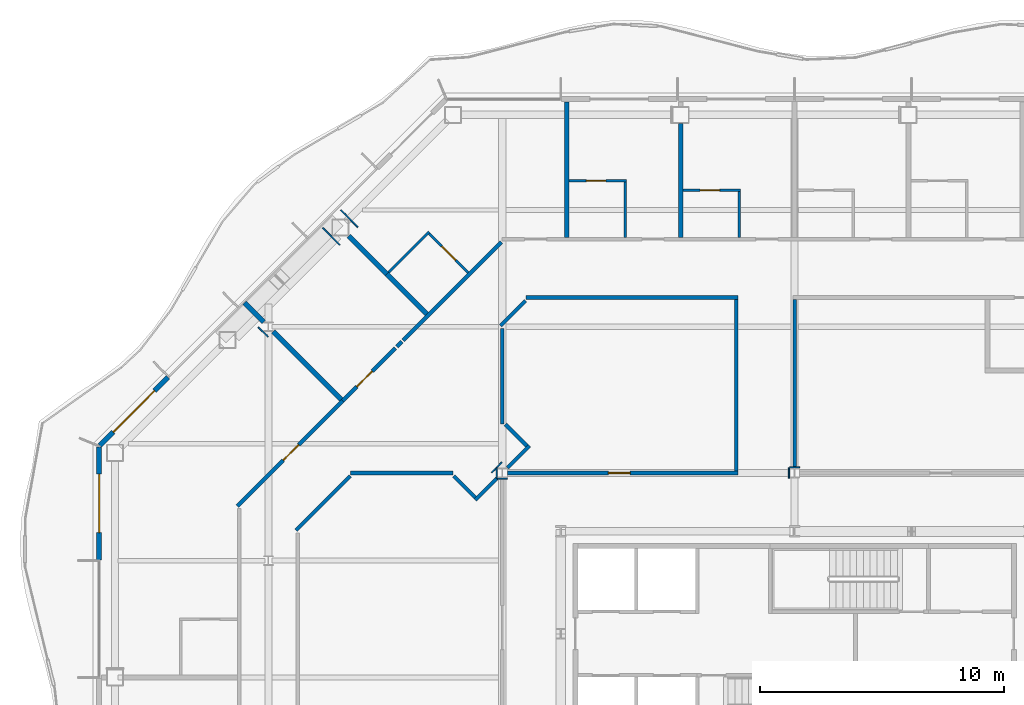
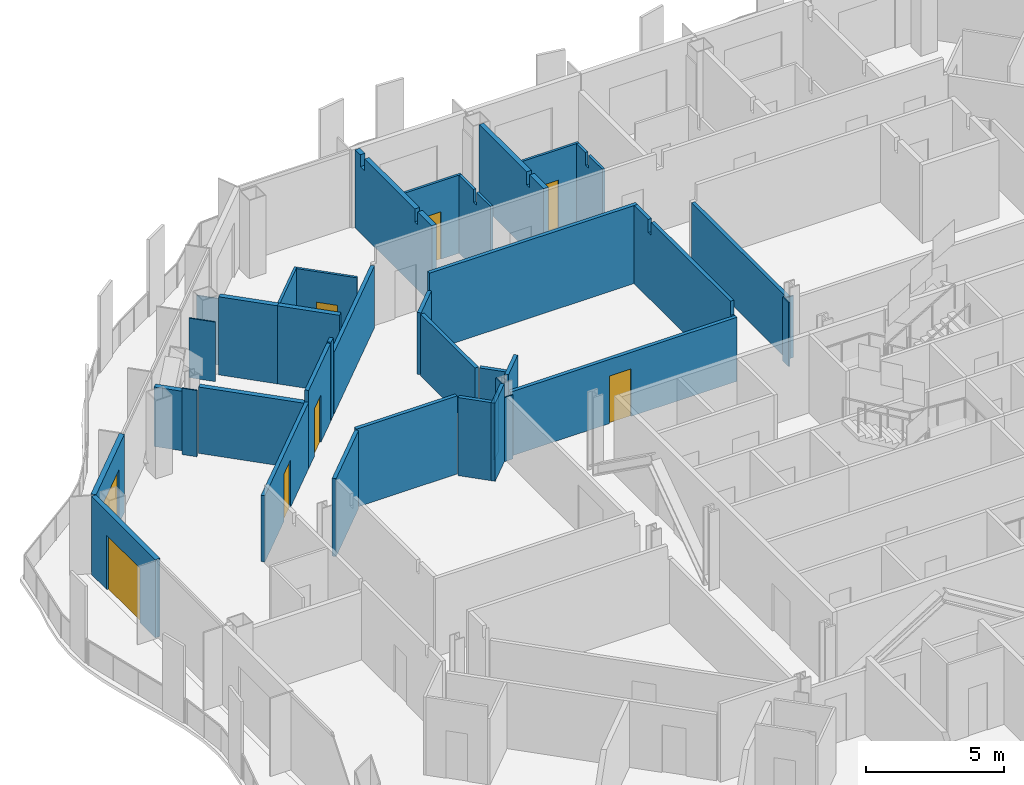
# One storey, part 12 of 21: 38 walls, 8 doors, 8 openings.
"""IFC4 building model written with IfcOpenShell, lengths in metres."""

from ifc_helpers import new_model, si_unit, direction, frame, frame_2d, origin, place, context, subcontext, project, spatial, polyline, rectangle, outline, extrude, material, layer, layer_set, type_object, element, fill, save


model = new_model("IFC4")

# Units and contexts
model_context = context("Model", 3, precision=1e-05, world=origin(), true_north=direction((0.0, 1.0)))
body_context = subcontext(model_context, "Body", "Model", "MODEL_VIEW")
ifc_project = project(units=[si_unit("LENGTHUNIT", "METRE"), si_unit("AREAUNIT", "SQUARE_METRE"), si_unit("VOLUMEUNIT", "CUBIC_METRE"), si_unit("PLANEANGLEUNIT", "RADIAN"), si_unit("MASSUNIT", "GRAM", prefix="KILO")], contexts=[model_context])

# Site, building, storey
site_placement = place(None, origin())
site = spatial("IfcSite", under=ifc_project, at=site_placement, CompositionType="ELEMENT")
building_placement = place(site_placement, origin())
building = spatial("IfcBuilding", under=site, at=building_placement, Name="Cairn Pilgrim Tower", CompositionType="ELEMENT")
storey_placement = place(building_placement, frame((0.0, 0.0, 143.39990234375)))
storey = spatial("IfcBuildingStorey", under=building, at=storey_placement, Name="L35", CompositionType="ELEMENT", Elevation=143.39990234375)

# Wall, opening, door
ifc_material_1 = material(Name="Bronze anodised aluminium insulated sandwich panel with mineral wool fill", Category="aluminium")
ifc_layer_1 = layer(ifc_material_1, 0.199951171875)
ifc_layer_set_1 = layer_set([ifc_layer_1], Name="BRONZE INFILL FRAME WALL 200")
wall_type_1 = type_object("IfcWallType", Name="BRONZE INFILL FRAME WALL 200", PredefinedType="NOTDEFINED", material=ifc_layer_set_1)
wall_1_placement = place(storey_placement, frame((-18.5205078125, 17.1259765625, 0.0), z_axis=(0.0, 0.0, 1.0), x_axis=(-0.707106781187, -0.707106781187, 0.0)))
wall_1 = element("IfcWall", 1, at=wall_1_placement, inside=storey, type_object=wall_type_1, Name="Bronze infill frame wall IW-NW5", PredefinedType="NOTDEFINED", context=body_context, shape_type="SweptSolid", body=[
    extrude(rectangle(XDim=3.961669921875, YDim=0.199951171875, at=frame_2d((1.98095703125, 0.0))), origin(), (0.0, 0.0, 1.0), 3.4501953125),
])
opening_1_placement = place(wall_1_placement, frame((0.785888671875, 0.0, 0.0)))
opening_1 = element("IfcOpeningElement", 2, at=opening_1_placement, cuts=wall_1, Name="Opening 3517B", PredefinedType="OPENING", context=body_context, shape_type="SweptSolid", body=[
    extrude(rectangle(XDim=2.39990234375, YDim=2.39990234375, at=frame_2d((1.199951171875, 1.199951171875))), frame((0.0, 0.10986328125, 0.0), z_axis=(0.0, -1.0, 0.0), x_axis=(1.0, 0.0, 0.0)), (0.0, 0.0, 1.0), 0.219970703125),
])
ifc_material_2 = material(Name="Bronze anodised aluminium frame with tinted low-E glass", Category="aluminium")
door_type_1 = type_object("IfcDoorType", Name="BALCONY SLIDING DOOR 2400x2400", OperationType="DOUBLE_DOOR_SLIDING", PredefinedType="DOOR", material=ifc_material_2)
door_1_placement = place(opening_1_placement, origin())
door_1 = element("IfcDoor", 3, at=door_1_placement, inside=storey, type_object=door_type_1, Name="Balcony sliding door 3517B", OperationType="SINGLE_SWING_LEFT", OverallHeight=2.39990234375, OverallWidth=2.39990234375, PredefinedType="DOOR", context=body_context, shape_type="SweptSolid", body=[
    extrude(rectangle(XDim=2.39990234375, YDim=2.39990234375, at=frame_2d((1.199951171875, 1.199951171875))), frame((0.0, 0.02490234375, 0.0), z_axis=(0.0, -1.0, 0.0), x_axis=(1.0, 0.0, 0.0)), (0.0, 0.0, 1.0), 0.050048828125),
])
fill(opening_1, door_1)

wall_2_placement = place(storey_placement, frame((-21.35009765625, 14.25634765625, 0.0), z_axis=(0.0, 0.0, 1.0), x_axis=(0.0, -1.0, 0.0)))
wall_2 = element("IfcWall", 4, at=wall_2_placement, inside=storey, type_object=wall_type_1, Name="Bronze infill frame wall IW-W1", PredefinedType="NOTDEFINED", context=body_context, shape_type="SweptSolid", body=[
    extrude(rectangle(XDim=4.62646484375, YDim=0.199951171875, at=frame_2d((2.313232421875, 0.0))), origin(), (0.0, 0.0, 1.0), 3.4501953125),
])
opening_2_placement = place(wall_2_placement, frame((1.1083984375, 0.0, 0.0)))
opening_2 = element("IfcOpeningElement", 5, at=opening_2_placement, cuts=wall_2, Name="Opening 3517B2", PredefinedType="OPENING", context=body_context, shape_type="SweptSolid", body=[
    extrude(rectangle(XDim=2.39990234375, YDim=2.39990234375, at=frame_2d((1.199951171875, 1.199951171875))), frame((0.0, 0.10986328125, 0.0), z_axis=(0.0, -1.0, 0.0), x_axis=(1.0, 0.0, 0.0)), (0.0, 0.0, 1.0), 0.219970703125),
])
door_2_placement = place(opening_2_placement, origin())
door_2 = element("IfcDoor", 6, at=door_2_placement, inside=storey, type_object=door_type_1, Name="Balcony sliding door 3517B2", OperationType="SINGLE_SWING_LEFT", OverallHeight=2.39990234375, OverallWidth=2.39990234375, PredefinedType="DOOR", context=body_context, shape_type="SweptSolid", body=[
    extrude(rectangle(XDim=2.39990234375, YDim=2.39990234375, at=frame_2d((1.199951171875, 1.199951171875))), frame((0.0, 0.02490234375, 0.0), z_axis=(0.0, -1.0, 0.0), x_axis=(1.0, 0.0, 0.0)), (0.0, 0.0, 1.0), 0.050048828125),
])
fill(opening_2, door_2)

# Wall
ifc_material_3 = material(Name="Gypsum partition")
ifc_layer_2 = layer(ifc_material_3, 0.10009765625)
ifc_layer_set_2 = layer_set([ifc_layer_2], Name="PARTITION 100 DRYWALL")
wall_type_2 = type_object("IfcWallType", Name="PARTITION 100 DRYWALL", PredefinedType="PARTITIONING", material=ifc_layer_set_2)
wall_3_placement = place(storey_placement, frame((-9.47119140625, 21.437744140625, 0.0), z_axis=(0.0, 0.0, 1.0), x_axis=(0.707054828152, 0.707158730404, 0.0)))
element("IfcWall", 7, at=wall_3_placement, inside=storey, type_object=wall_type_2, Name="PARTITION W112", PredefinedType="PARTITIONING", context=body_context, shape_type="SweptSolid", body=[
    extrude(rectangle(XDim=2.349609375, YDim=0.10009765625, at=frame_2d((1.1748046875, 0.0))), origin(), (0.0, 0.0, 1.0), 3.4501953125),
])

# Wall, opening, door
wall_4_placement = place(storey_placement, frame((-6.200927734375, 21.419921875, 0.0), z_axis=(0.0, 0.0, 1.0), x_axis=(-0.707106781187, 0.707106781187, 0.0)))
wall_4 = element("IfcWall", 8, at=wall_4_placement, inside=storey, type_object=wall_type_2, Name="PARTITION W113", PredefinedType="PARTITIONING", context=body_context, shape_type="SweptSolid", body=[
    extrude(rectangle(XDim=2.27490234375, YDim=0.10009765625, at=frame_2d((1.137451171875, 0.0))), origin(), (0.0, 0.0, 1.0), 3.4501953125),
])
opening_3_placement = place(wall_4_placement, frame((0.72509765625, 0.0, 0.0)))
opening_3 = element("IfcOpeningElement", 9, at=opening_3_placement, cuts=wall_4, Name="Opening 3515A", PredefinedType="OPENING", context=body_context, shape_type="SweptSolid", body=[
    extrude(rectangle(XDim=0.800048828125, YDim=2.10009765625, at=frame_2d((0.39990234375, 1.050048828125))), frame((0.0, 0.06005859375, 0.0), z_axis=(0.0, -1.0, 0.0), x_axis=(1.0, 0.0, 0.0)), (0.0, 0.0, 1.0), 0.1201171875),
])
ifc_material_4 = material(Name="Timber door leaf", Category="wood")
door_type_2 = type_object("IfcDoorType", Name="WC DOOR 800x2100", OperationType="NOTDEFINED", PredefinedType="DOOR", material=ifc_material_4)
door_3_placement = place(opening_3_placement, frame((0.800048828125, 0.0, 0.0), z_axis=(0.0, 0.0, 1.0), x_axis=(-1.0, 0.0, 0.0)))
door_3 = element("IfcDoor", 10, at=door_3_placement, inside=storey, type_object=door_type_2, Name="DOOR 3515A", OperationType="SINGLE_SWING_RIGHT", OverallHeight=2.10009765625, OverallWidth=0.800048828125, PredefinedType="DOOR", context=body_context, shape_type="SweptSolid", body=[
    extrude(rectangle(XDim=0.800048828125, YDim=2.10009765625, at=frame_2d((0.39990234375, 1.050048828125))), frame((0.0, 0.02490234375, 0.0), z_axis=(0.0, -1.0, 0.0), x_axis=(1.0, 0.0, 0.0)), (0.0, 0.0, 1.0), 0.050048828125),
])
fill(opening_3, door_3)

# Walls
wall_5_placement = place(storey_placement, frame((0.248046875, 22.875, 0.0), z_axis=(0.0, 0.0, 1.0), x_axis=(0.0, 1.0, 0.0)))
element("IfcWall", 11, at=wall_5_placement, inside=storey, type_object=wall_type_2, Name="PARTITION W117", PredefinedType="PARTITIONING", context=body_context, shape_type="SweptSolid", body=[
    extrude(outline(polyline([(0.0, 0.0), (2.27490234375, 0.0), (2.27490234375, 3.4501953125), (1.22998046875, 3.4501953125), (1.22802734375, 2.880126953125), (1.02001953125, 2.880126953125), (1.01806640625, 3.4501953125), (0.0, 3.4501953125), (0.0, 0.0)])), frame((0.0, 0.050048828125, 0.0), z_axis=(0.0, -1.0, 0.0), x_axis=(1.0, 0.0, 0.0)), (0.0, 0.0, 1.0), 0.10009765625),
])
wall_6_placement = place(storey_placement, frame((4.924072265625, 22.875, 0.0), z_axis=(0.0, 0.0, 1.0), x_axis=(0.0, 1.0, 0.0)))
element("IfcWall", 12, at=wall_6_placement, inside=storey, type_object=wall_type_2, Name="PARTITION W119", PredefinedType="PARTITIONING", context=body_context, shape_type="SweptSolid", body=[
    extrude(outline(polyline([(0.0, 0.0), (1.875, 0.0), (1.875, 3.4501953125), (1.22998046875, 3.4501953125), (1.22802734375, 2.880126953125), (1.02001953125, 2.880126953125), (1.01806640625, 3.4501953125), (0.0, 3.4501953125), (0.0, 0.0)])), frame((0.0, 0.050048828125, 0.0), z_axis=(0.0, -1.0, 0.0), x_axis=(1.0, 0.0, 0.0)), (0.0, 0.0, 1.0), 0.10009765625),
])

# Wall, opening, door
wall_7_placement = place(storey_placement, frame((2.6240234375, 24.800048828125, 0.0), z_axis=(0.0, 0.0, 1.0), x_axis=(1.0, 0.0, 0.0)))
wall_7 = element("IfcWall", 13, at=wall_7_placement, inside=storey, type_object=wall_type_2, Name="PARTITION W126", PredefinedType="PARTITIONING", context=body_context, shape_type="SweptSolid", body=[
    extrude(rectangle(XDim=2.35009765625, YDim=0.10009765625, at=frame_2d((1.175048828125, 0.0))), origin(), (0.0, 0.0, 1.0), 3.4501953125),
])
opening_4_placement = place(wall_7_placement, frame((0.699951171875, 0.0, 0.0)))
opening_4 = element("IfcOpeningElement", 14, at=opening_4_placement, cuts=wall_7, Name="Opening 3513A", PredefinedType="OPENING", context=body_context, shape_type="SweptSolid", body=[
    extrude(rectangle(XDim=0.800048828125, YDim=2.10009765625, at=frame_2d((0.39990234375, 1.050048828125))), frame((0.0, 0.06005859375, 0.0), z_axis=(0.0, -1.0, 0.0), x_axis=(1.0, 0.0, 0.0)), (0.0, 0.0, 1.0), 0.1201171875),
])
door_4_placement = place(opening_4_placement, origin())
door_4 = element("IfcDoor", 15, at=door_4_placement, inside=storey, type_object=door_type_2, Name="DOOR 3513A", OperationType="SINGLE_SWING_RIGHT", OverallHeight=2.10009765625, OverallWidth=0.800048828125, PredefinedType="DOOR", context=body_context, shape_type="SweptSolid", body=[
    extrude(rectangle(XDim=0.800048828125, YDim=2.10009765625, at=frame_2d((0.39990234375, 1.050048828125))), frame((0.0, 0.02490234375, 0.0), z_axis=(0.0, -1.0, 0.0), x_axis=(1.0, 0.0, 0.0)), (0.0, 0.0, 1.0), 0.050048828125),
])
fill(opening_4, door_4)

wall_8_placement = place(storey_placement, frame((-2.052001953125, 25.199951171875, 0.0), z_axis=(0.0, 0.0, 1.0), x_axis=(1.0, 0.0, 0.0)))
wall_8 = element("IfcWall", 16, at=wall_8_placement, inside=storey, type_object=wall_type_2, Name="PARTITION W128", PredefinedType="PARTITIONING", context=body_context, shape_type="SweptSolid", body=[
    extrude(rectangle(XDim=2.35009765625, YDim=0.10009765625, at=frame_2d((1.175048828125, 0.0))), origin(), (0.0, 0.0, 1.0), 3.4501953125),
])
opening_5_placement = place(wall_8_placement, frame((0.699951171875, 0.0, 0.0)))
opening_5 = element("IfcOpeningElement", 17, at=opening_5_placement, cuts=wall_8, Name="Opening 3514A", PredefinedType="OPENING", context=body_context, shape_type="SweptSolid", body=[
    extrude(rectangle(XDim=0.800048828125, YDim=2.10009765625, at=frame_2d((0.39990234375, 1.050048828125))), frame((0.0, 0.06005859375, 0.0), z_axis=(0.0, -1.0, 0.0), x_axis=(1.0, 0.0, 0.0)), (0.0, 0.0, 1.0), 0.1201171875),
])
door_5_placement = place(opening_5_placement, origin())
door_5 = element("IfcDoor", 18, at=door_5_placement, inside=storey, type_object=door_type_2, Name="DOOR 3514A", OperationType="SINGLE_SWING_RIGHT", OverallHeight=2.10009765625, OverallWidth=0.800048828125, PredefinedType="DOOR", context=body_context, shape_type="SweptSolid", body=[
    extrude(rectangle(XDim=0.800048828125, YDim=2.10009765625, at=frame_2d((0.39990234375, 1.050048828125))), frame((0.0, 0.02490234375, 0.0), z_axis=(0.0, -1.0, 0.0), x_axis=(1.0, 0.0, 0.0)), (0.0, 0.0, 1.0), 0.050048828125),
])
fill(opening_5, door_5)

# Wall
ifc_layer_3 = layer(ifc_material_3, 0.14990234375)
ifc_layer_set_3 = layer_set([ifc_layer_3], Name="PARTITION 150 DRYWALL EI 60")
wall_type_3 = type_object("IfcWallType", Name="PARTITION 150 DRYWALL EI 60", PredefinedType="PARTITIONING", material=ifc_layer_set_3)
wall_9_placement = place(storey_placement, frame((-13.27490234375, 10.845947265625, 0.0), z_axis=(0.0, 0.0, 1.0), x_axis=(0.707068002674, 0.707145557572, 0.0)))
element("IfcWall", 19, at=wall_9_placement, inside=storey, type_object=wall_type_3, Name="PARTITION W069", PredefinedType="PARTITIONING", context=body_context, shape_type="SweptSolid", body=[
    extrude(rectangle(XDim=3.14794921875, YDim=0.14990234375, at=frame_2d((1.573974609375, 0.0))), origin(), (0.0, 0.0, 1.0), 3.4501953125),
])

# Wall, opening, door
wall_10_placement = place(storey_placement, frame((-15.675048828125, 11.840087890625, 0.0), z_axis=(0.0, 0.0, 1.0), x_axis=(0.707206735496, 0.707006812746, 0.0)))
wall_10 = element("IfcWall", 20, at=wall_10_placement, inside=storey, type_object=wall_type_3, Name="PARTITION W071", PredefinedType="PARTITIONING", context=body_context, shape_type="SweptSolid", body=[
    extrude(rectangle(XDim=6.10595703125, YDim=0.14990234375, at=frame_2d((3.052978515625, 0.0))), origin(), (0.0, 0.0, 1.0), 2.93017578125),
])
opening_6_placement = place(wall_10_placement, frame((2.656005859375, 0.0, 0.0)))
opening_6 = element("IfcOpeningElement", 21, at=opening_6_placement, cuts=wall_10, Name="Opening 3517", PredefinedType="OPENING", context=body_context, shape_type="SweptSolid", body=[
    extrude(rectangle(XDim=0.89990234375, YDim=2.10009765625, at=frame_2d((0.449951171875, 1.050048828125))), frame((0.0, 0.0849609375, 0.0), z_axis=(0.0, -1.0, 0.0), x_axis=(1.0, 0.0, 0.0)), (0.0, 0.0, 1.0), 0.169921875),
])
door_type_3 = type_object("IfcDoorType", Name="ROOM DOOR 900x2100 FD30S", OperationType="NOTDEFINED", PredefinedType="DOOR", material=ifc_material_4)
door_6_placement = place(opening_6_placement, origin())
door_6 = element("IfcDoor", 22, at=door_6_placement, inside=storey, type_object=door_type_3, Name="DOOR 3517", OperationType="SINGLE_SWING_RIGHT", OverallHeight=2.10009765625, OverallWidth=0.89990234375, PredefinedType="DOOR", context=body_context, shape_type="SweptSolid", body=[
    extrude(rectangle(XDim=0.89990234375, YDim=2.10009765625, at=frame_2d((0.449951171875, 1.050048828125))), frame((0.0, 0.02490234375, 0.0), z_axis=(0.0, -1.0, 0.0), x_axis=(1.0, 0.0, 0.0)), (0.0, 0.0, 1.0), 0.050048828125),
])
fill(opening_6, door_6)

# Walls
wall_11_placement = place(storey_placement, frame((-5.9140625, 12.0859375, 0.0), z_axis=(0.0, 0.0, 1.0), x_axis=(0.707106781187, 0.707106781187, 0.0)))
element("IfcWall", 23, at=wall_11_placement, inside=storey, type_object=wall_type_3, Name="PARTITION W073", PredefinedType="PARTITIONING", context=body_context, shape_type="SweptSolid", body=[
    extrude(rectangle(XDim=1.280517578125, YDim=0.14990234375, at=frame_2d((0.64013671875, 0.0))), origin(), (0.0, 0.0, 1.0), 3.4501953125),
])
wall_12_placement = place(storey_placement, frame((-5.9140625, 12.192138671875, 0.0), z_axis=(0.0, 0.0, 1.0), x_axis=(-0.706812296552, 0.70740114323, 0.0)))
element("IfcWall", 24, at=wall_12_placement, inside=storey, type_object=wall_type_3, Name="PARTITION W075", PredefinedType="PARTITIONING", context=body_context, shape_type="SweptSolid", body=[
    extrude(rectangle(XDim=1.243896484375, YDim=0.14990234375, at=frame_2d((0.6220703125, 0.0))), origin(), (0.0, 0.0, 1.0), 3.4501953125),
])
wall_13_placement = place(storey_placement, frame((-11.027099609375, 13.199951171875, 0.0), z_axis=(0.0, 0.0, 1.0), x_axis=(1.0, 0.0, 0.0)))
element("IfcWall", 25, at=wall_13_placement, inside=storey, type_object=wall_type_3, Name="PARTITION W077", PredefinedType="PARTITIONING", context=body_context, shape_type="SweptSolid", body=[
    extrude(rectangle(XDim=4.2119140625, YDim=0.14990234375, at=frame_2d((2.10595703125, 0.0))), origin(), (0.0, 0.0, 1.0), 3.4501953125),
])

# Wall, opening, door
wall_14_placement = place(storey_placement, frame((-4.595458984375, 13.199951171875, 0.0), z_axis=(0.0, 0.0, 1.0), x_axis=(1.0, 0.0, 0.0)))
wall_14 = element("IfcWall", 26, at=wall_14_placement, inside=storey, type_object=wall_type_3, Name="PARTITION W078", PredefinedType="PARTITIONING", context=body_context, shape_type="SweptSolid", body=[
    extrude(rectangle(XDim=9.470458984375, YDim=0.14990234375, at=frame_2d((4.7353515625, 0.0))), origin(), (0.0, 0.0, 1.0), 2.830078125),
])
opening_7_placement = place(wall_14_placement, frame((4.1455078125, 0.0, 0.0)))
opening_7 = element("IfcOpeningElement", 27, at=opening_7_placement, cuts=wall_14, Name="Opening 3528", PredefinedType="OPENING", context=body_context, shape_type="SweptSolid", body=[
    extrude(rectangle(XDim=0.89990234375, YDim=2.10009765625, at=frame_2d((0.449951171875, 1.050048828125))), frame((0.0, 0.0849609375, 0.0), z_axis=(0.0, -1.0, 0.0), x_axis=(1.0, 0.0, 0.0)), (0.0, 0.0, 1.0), 0.169921875),
])
door_type_4 = type_object("IfcDoorType", Name="SERVICE DOOR 900x2100 FD30S", OperationType="NOTDEFINED", PredefinedType="DOOR", material=ifc_material_4)
door_7_placement = place(opening_7_placement, origin())
door_7 = element("IfcDoor", 28, at=door_7_placement, inside=storey, type_object=door_type_4, Name="DOOR 3528", OperationType="SINGLE_SWING_LEFT", OverallHeight=2.10009765625, OverallWidth=0.89990234375, PredefinedType="DOOR", context=body_context, shape_type="SweptSolid", body=[
    extrude(rectangle(XDim=0.89990234375, YDim=2.10009765625, at=frame_2d((0.449951171875, 1.050048828125))), frame((0.0, 0.02490234375, 0.0), z_axis=(0.0, -1.0, 0.0), x_axis=(1.0, 0.0, 0.0)), (0.0, 0.0, 1.0), 0.050048828125),
])
fill(opening_7, door_7)

# Walls
wall_15_placement = place(storey_placement, frame((4.800048828125, 13.27490234375, 0.0), z_axis=(0.0, 0.0, 1.0), x_axis=(0.0, 1.0, 0.0)))
element("IfcWall", 29, at=wall_15_placement, inside=storey, type_object=wall_type_3, Name="PARTITION W081", PredefinedType="PARTITIONING", context=body_context, shape_type="SweptSolid", body=[
    extrude(outline(polyline([(0.0, 0.0), (7.050048828125, 0.0), (7.050048828125, 3.4501953125), (6.030029296875, 3.4501953125), (6.028076171875, 2.880126953125), (5.820068359375, 2.880126953125), (5.818115234375, 3.4501953125), (0.074951171875, 3.4501953125), (0.072998046875, 2.830078125), (0.0, 2.830078125), (0.0, 0.0)])), frame((0.0, 0.074951171875, 0.0), z_axis=(0.0, -1.0, 0.0), x_axis=(1.0, 0.0, 0.0)), (0.0, 0.0, 1.0), 0.14990234375),
])
wall_16_placement = place(storey_placement, frame((-4.591552734375, 13.408447265625, 0.0), z_axis=(0.0, 0.0, 1.0), x_axis=(0.707106781187, 0.707106781187, 0.0)))
element("IfcWall", 30, at=wall_16_placement, inside=storey, type_object=wall_type_3, Name="PARTITION W083", PredefinedType="PARTITIONING", context=body_context, shape_type="SweptSolid", body=[
    extrude(rectangle(XDim=1.281005859375, YDim=0.14990234375, at=frame_2d((0.640625, 0.0))), origin(), (0.0, 0.0, 1.0), 3.4501953125),
])
wall_17_placement = place(storey_placement, frame((7.199951171875, 13.41259765625, 0.0), z_axis=(0.0, 0.0, 1.0), x_axis=(0.0, 1.0, 0.0)))
element("IfcWall", 31, at=wall_17_placement, inside=storey, type_object=wall_type_3, Name="PARTITION W084", PredefinedType="PARTITIONING", context=body_context, shape_type="SweptSolid", body=[
    extrude(rectangle(XDim=6.912353515625, YDim=0.14990234375, at=frame_2d((3.4560546875, 0.0))), origin(), (0.0, 0.0, 1.0), 2.72998046875),
])
wall_18_placement = place(storey_placement, frame((-3.7919921875, 14.31396484375, 0.0), z_axis=(0.0, 0.0, 1.0), x_axis=(-0.707499182195, 0.706714162298, 0.0)))
element("IfcWall", 32, at=wall_18_placement, inside=storey, type_object=wall_type_3, Name="PARTITION W088", PredefinedType="PARTITIONING", context=body_context, shape_type="SweptSolid", body=[
    extrude(rectangle(XDim=1.243896484375, YDim=0.14990234375, at=frame_2d((0.6220703125, 0.0))), origin(), (0.0, 0.0, 1.0), 2.72998046875),
])
wall_19_placement = place(storey_placement, frame((-4.800048828125, 15.215087890625, 0.0), z_axis=(0.0, 0.0, 1.0), x_axis=(0.0, 1.0, 0.0)))
element("IfcWall", 33, at=wall_19_placement, inside=storey, type_object=wall_type_3, Name="PARTITION W092", PredefinedType="PARTITIONING", context=body_context, shape_type="SweptSolid", body=[
    extrude(rectangle(XDim=3.9248046875, YDim=0.14990234375, at=frame_2d((1.96240234375, 0.0))), origin(), (0.0, 0.0, 1.0), 2.72998046875),
])

# Wall, opening, door
wall_20_placement = place(storey_placement, frame((-11.35693359375, 16.156982421875, 0.0), z_axis=(0.0, 0.0, 1.0), x_axis=(0.707106781187, 0.707106781187, 0.0)))
wall_20 = element("IfcWall", 34, at=wall_20_placement, inside=storey, type_object=wall_type_3, Name="PARTITION W094", PredefinedType="PARTITIONING", context=body_context, shape_type="SweptSolid", body=[
    extrude(rectangle(XDim=3.070556640625, YDim=0.14990234375, at=frame_2d((1.53515625, 0.0))), origin(), (0.0, 0.0, 1.0), 3.4501953125),
])
opening_8_placement = place(wall_20_placement, frame((0.822998046875, 0.0, 0.0)))
opening_8 = element("IfcOpeningElement", 35, at=opening_8_placement, cuts=wall_20, Name="Opening 3516", PredefinedType="OPENING", context=body_context, shape_type="SweptSolid", body=[
    extrude(rectangle(XDim=0.89990234375, YDim=2.10009765625, at=frame_2d((0.449951171875, 1.050048828125))), frame((0.0, 0.0849609375, 0.0), z_axis=(0.0, -1.0, 0.0), x_axis=(1.0, 0.0, 0.0)), (0.0, 0.0, 1.0), 0.169921875),
])
door_8_placement = place(opening_8_placement, origin())
door_8 = element("IfcDoor", 36, at=door_8_placement, inside=storey, type_object=door_type_4, Name="DOOR 3516", OperationType="SINGLE_SWING_RIGHT", OverallHeight=2.10009765625, OverallWidth=0.89990234375, PredefinedType="DOOR", context=body_context, shape_type="SweptSolid", body=[
    extrude(rectangle(XDim=0.89990234375, YDim=2.10009765625, at=frame_2d((0.449951171875, 1.050048828125))), frame((0.0, 0.02490234375, 0.0), z_axis=(0.0, -1.0, 0.0), x_axis=(1.0, 0.0, 0.0)), (0.0, 0.0, 1.0), 0.050048828125),
])
fill(opening_8, door_8)

# Walls
wall_21_placement = place(storey_placement, frame((-9.1328125, 18.381591796875, 0.0), z_axis=(0.0, 0.0, 1.0), x_axis=(0.707106781187, 0.707106781187, 0.0)))
element("IfcWall", 37, at=wall_21_placement, inside=storey, type_object=wall_type_3, Name="PARTITION W100", PredefinedType="PARTITIONING", context=body_context, shape_type="SweptSolid", body=[
    extrude(rectangle(XDim=0.2998046875, YDim=0.14990234375, at=frame_2d((0.14990234375, 0.0))), origin(), (0.0, 0.0, 1.0), 3.4501953125),
])
wall_22_placement = place(storey_placement, frame((-8.8681640625, 18.646728515625, 0.0), z_axis=(0.0, 0.0, 1.0), x_axis=(0.707085337138, 0.707128224585, 0.0)))
element("IfcWall", 38, at=wall_22_placement, inside=storey, type_object=wall_type_3, Name="PARTITION W101", PredefinedType="PARTITIONING", context=body_context, shape_type="SweptSolid", body=[
    extrude(rectangle(XDim=5.692626953125, YDim=0.14990234375, at=frame_2d((2.84619140625, 0.0))), origin(), (0.0, 0.0, 1.0), 2.72998046875),
])
wall_23_placement = place(storey_placement, frame((-4.875, 19.24609375, 0.0), z_axis=(0.0, 0.0, 1.0), x_axis=(0.707106781187, 0.707106781187, 0.0)))
element("IfcWall", 39, at=wall_23_placement, inside=storey, type_object=wall_type_3, Name="PARTITION W102", PredefinedType="PARTITIONING", context=body_context, shape_type="SweptSolid", body=[
    extrude(rectangle(XDim=1.450927734375, YDim=0.14990234375, at=frame_2d((0.7255859375, 0.0))), origin(), (0.0, 0.0, 1.0), 2.72998046875),
])
wall_24_placement = place(storey_placement, frame((-3.8271484375, 20.39990234375, 0.0), z_axis=(0.0, 0.0, 1.0), x_axis=(1.0, 0.0, 0.0)))
element("IfcWall", 40, at=wall_24_placement, inside=storey, type_object=wall_type_3, Name="PARTITION W108", PredefinedType="PARTITIONING", context=body_context, shape_type="SweptSolid", body=[
    extrude(rectangle(XDim=8.7021484375, YDim=0.14990234375, at=frame_2d((4.35107421875, 0.0))), origin(), (0.0, 0.0, 1.0), 3.4501953125),
])
ifc_layer_4 = layer(ifc_material_3, 0.050048828125)
ifc_layer_set_4 = layer_set([ifc_layer_4], Name="PARTITION 50 DRYWALL EI 60")
wall_type_4 = type_object("IfcWallType", Name="PARTITION 50 DRYWALL EI 60", PredefinedType="PARTITIONING", material=ifc_layer_set_4)
wall_25_placement = place(storey_placement, frame((-5.029541015625, 12.987548828125, 0.0), z_axis=(0.0, 0.0, 1.0), x_axis=(0.0, 1.0, 0.0)))
element("IfcWall", 41, at=wall_25_placement, inside=storey, type_object=wall_type_4, Name="COLUMN CASING WC19", PredefinedType="PARTITIONING", context=body_context, shape_type="SweptSolid", body=[
    extrude(rectangle(XDim=0.425048828125, YDim=0.050048828125, at=frame_2d((0.21240234375, 0.0))), origin(), (0.0, 0.0, 1.0), 3.4501953125),
])
wall_26_placement = place(storey_placement, frame((-5.234619140625, 13.2177734375, 0.0), z_axis=(0.0, 0.0, 1.0), x_axis=(0.707106781187, 0.707106781187, 0.0)))
element("IfcWall", 42, at=wall_26_placement, inside=storey, type_object=wall_type_4, Name="COLUMN CASING WC24", PredefinedType="PARTITIONING", context=body_context, shape_type="SweptSolid", body=[
    extrude(rectangle(XDim=0.589599609375, YDim=0.050048828125, at=frame_2d((0.294921875, 0.0))), origin(), (0.0, 0.0, 1.0), 2.72998046875),
])
wall_27_placement = place(storey_placement, frame((-5.00439453125, 12.96240234375, 0.0), z_axis=(0.0, 0.0, 1.0), x_axis=(1.0, 0.0, 0.0)))
element("IfcWall", 43, at=wall_27_placement, inside=storey, type_object=wall_type_4, Name="COLUMN CASING WC26", PredefinedType="PARTITIONING", context=body_context, shape_type="SweptSolid", body=[
    extrude(rectangle(XDim=0.408935546875, YDim=0.050048828125, at=frame_2d((0.20458984375, 0.0))), origin(), (0.0, 0.0, 1.0), 2.830078125),
])
wall_28_placement = place(storey_placement, frame((6.99560546875, 13.4375, 0.0), z_axis=(0.0, 0.0, 1.0), x_axis=(1.0, 0.0, 0.0)))
element("IfcWall", 44, at=wall_28_placement, inside=storey, type_object=wall_type_4, Name="COLUMN CASING WC27", PredefinedType="PARTITIONING", context=body_context, shape_type="SweptSolid", body=[
    extrude(rectangle(XDim=0.408935546875, YDim=0.050048828125, at=frame_2d((0.20458984375, 0.0))), origin(), (0.0, 0.0, 1.0), 2.72998046875),
])
wall_29_placement = place(storey_placement, frame((6.970458984375, 12.987548828125, 0.0), z_axis=(0.0, 0.0, 1.0), x_axis=(0.0, 1.0, 0.0)))
element("IfcWall", 45, at=wall_29_placement, inside=storey, type_object=wall_type_4, Name="COLUMN CASING WC29", PredefinedType="PARTITIONING", context=body_context, shape_type="SweptSolid", body=[
    extrude(rectangle(XDim=0.425048828125, YDim=0.050048828125, at=frame_2d((0.21240234375, 0.0))), origin(), (0.0, 0.0, 1.0), 2.830078125),
])
wall_30_placement = place(storey_placement, frame((-14.417724609375, 18.786376953125, 0.0), z_axis=(0.0, 0.0, 1.0), x_axis=(-0.707106781187, 0.707106781187, 0.0)))
element("IfcWall", 46, at=wall_30_placement, inside=storey, type_object=wall_type_4, Name="COLUMN CASING WC30", PredefinedType="PARTITIONING", context=body_context, shape_type="SweptSolid", body=[
    extrude(rectangle(XDim=0.56005859375, YDim=0.050048828125, at=frame_2d((0.280029296875, 0.0))), origin(), (0.0, 0.0, 1.0), 2.93017578125),
])
wall_31_placement = place(storey_placement, frame((-11.468994140625, 22.55810546875, 0.0), z_axis=(0.0, 0.0, 1.0), x_axis=(-0.707353374636, 0.706860101711, 0.0)))
element("IfcWall", 47, at=wall_31_placement, inside=storey, type_object=wall_type_4, Name="COLUMN CASING WC35", PredefinedType="PARTITIONING", context=body_context, shape_type="SweptSolid", body=[
    extrude(rectangle(XDim=0.989990234375, YDim=0.050048828125, at=frame_2d((0.4951171875, 0.0))), origin(), (0.0, 0.0, 1.0), 2.630126953125),
])
wall_32_placement = place(storey_placement, frame((-10.73388671875, 23.29345703125, 0.0), z_axis=(0.0, 0.0, 1.0), x_axis=(-0.707230067171, 0.706983473703, 0.0)))
element("IfcWall", 48, at=wall_32_placement, inside=storey, type_object=wall_type_4, Name="COLUMN CASING WC36", PredefinedType="PARTITIONING", context=body_context, shape_type="SweptSolid", body=[
    extrude(rectangle(XDim=0.989990234375, YDim=0.050048828125, at=frame_2d((0.4951171875, 0.0))), origin(), (0.0, 0.0, 1.0), 2.93017578125),
])
ifc_layer_5 = layer(ifc_material_3, 0.199951171875)
ifc_layer_set_5 = layer_set([ifc_layer_5], Name="SHAFT WALL 200 GYPSUM EI 60")
wall_type_5 = type_object("IfcWallType", Name="SHAFT WALL 200 GYPSUM EI 60", PredefinedType="PARTITIONING", material=ifc_layer_set_5)
wall_33_placement = place(storey_placement, frame((-11.409912109375, 16.2099609375, 0.0), z_axis=(0.0, 0.0, 1.0), x_axis=(-0.707106781187, 0.707106781187, 0.0)))
element("IfcWall", 49, at=wall_33_placement, inside=storey, type_object=wall_type_5, Name="PARTITION W095", PredefinedType="PARTITIONING", context=body_context, shape_type="SweptSolid", body=[
    extrude(rectangle(XDim=3.948486328125, YDim=0.199951171875, at=frame_2d((1.97412109375, 0.0))), origin(), (0.0, 0.0, 1.0), 2.93017578125),
])
wall_34_placement = place(storey_placement, frame((-14.597900390625, 19.39794921875, 0.0), z_axis=(0.0, 0.0, 1.0), x_axis=(-0.707106781187, 0.707106781187, 0.0)))
element("IfcWall", 50, at=wall_34_placement, inside=storey, type_object=wall_type_5, Name="PARTITION W103", PredefinedType="PARTITIONING", context=body_context, shape_type="SweptSolid", body=[
    extrude(rectangle(XDim=1.107177734375, YDim=0.199951171875, at=frame_2d((0.5537109375, 0.0))), origin(), (0.0, 0.0, 1.0), 2.630126953125),
])
wall_35_placement = place(storey_placement, frame((-7.89794921875, 19.722900390625, 0.0), z_axis=(0.0, 0.0, 1.0), x_axis=(-0.707106781187, 0.707106781187, 0.0)))
element("IfcWall", 51, at=wall_35_placement, inside=storey, type_object=wall_type_5, Name="PARTITION W105", PredefinedType="PARTITIONING", context=body_context, shape_type="SweptSolid", body=[
    extrude(rectangle(XDim=2.324951171875, YDim=0.199951171875, at=frame_2d((1.16259765625, 0.0))), origin(), (0.0, 0.0, 1.0), 3.4501953125),
])
wall_36_placement = place(storey_placement, frame((-9.5419921875, 21.366943359375, 0.0), z_axis=(0.0, 0.0, 1.0), x_axis=(-0.707217500167, 0.706996044867, 0.0)))
element("IfcWall", 52, at=wall_36_placement, inside=storey, type_object=wall_type_5, Name="PARTITION W111", PredefinedType="PARTITIONING", context=body_context, shape_type="SweptSolid", body=[
    extrude(rectangle(XDim=2.204833984375, YDim=0.199951171875, at=frame_2d((1.1025390625, 0.0))), origin(), (0.0, 0.0, 1.0), 3.4501953125),
])
wall_37_placement = place(storey_placement, frame((-2.152099609375, 22.875, 0.0), z_axis=(0.0, 0.0, 1.0), x_axis=(0.0, 1.0, 0.0)))
element("IfcWall", 53, at=wall_37_placement, inside=storey, type_object=wall_type_5, Name="PARTITION W116", PredefinedType="PARTITIONING", context=body_context, shape_type="SweptSolid", body=[
    extrude(outline(polyline([(0.0, 0.0), (5.544921875, 0.0), (5.544921875, 3.4501953125), (5.175048828125, 3.4501953125), (5.173095703125, 2.93017578125), (4.875, 2.93017578125), (4.873046875, 3.4501953125), (1.22998046875, 3.4501953125), (1.22802734375, 2.880126953125), (1.02001953125, 2.880126953125), (1.01806640625, 3.4501953125), (0.0, 3.4501953125), (0.0, 0.0)])), frame((0.0, 0.10009765625, 0.0), z_axis=(0.0, -1.0, 0.0), x_axis=(1.0, 0.0, 0.0)), (0.0, 0.0, 1.0), 0.199951171875),
])
wall_38_placement = place(storey_placement, frame((2.52392578125, 22.875, 0.0), z_axis=(0.0, 0.0, 1.0), x_axis=(0.0, 1.0, 0.0)))
element("IfcWall", 54, at=wall_38_placement, inside=storey, type_object=wall_type_5, Name="PARTITION W118", PredefinedType="PARTITIONING", context=body_context, shape_type="SweptSolid", body=[
    extrude(outline(polyline([(0.0, 0.0), (4.675048828125, 0.0), (4.675048828125, 3.4501953125), (1.22998046875, 3.4501953125), (1.22802734375, 2.880126953125), (1.02001953125, 2.880126953125), (1.01806640625, 3.4501953125), (0.0, 3.4501953125), (0.0, 0.0)])), frame((0.0, 0.10009765625, 0.0), z_axis=(0.0, -1.0, 0.0), x_axis=(1.0, 0.0, 0.0)), (0.0, 0.0, 1.0), 0.199951171875),
])

save(model, "model.ifc")
